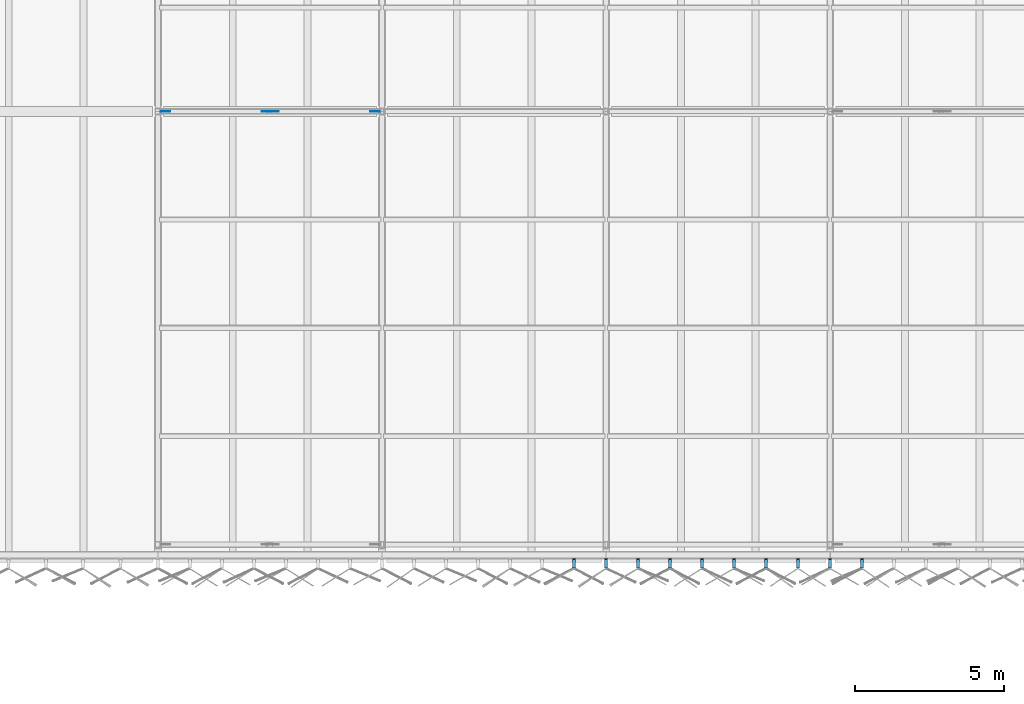
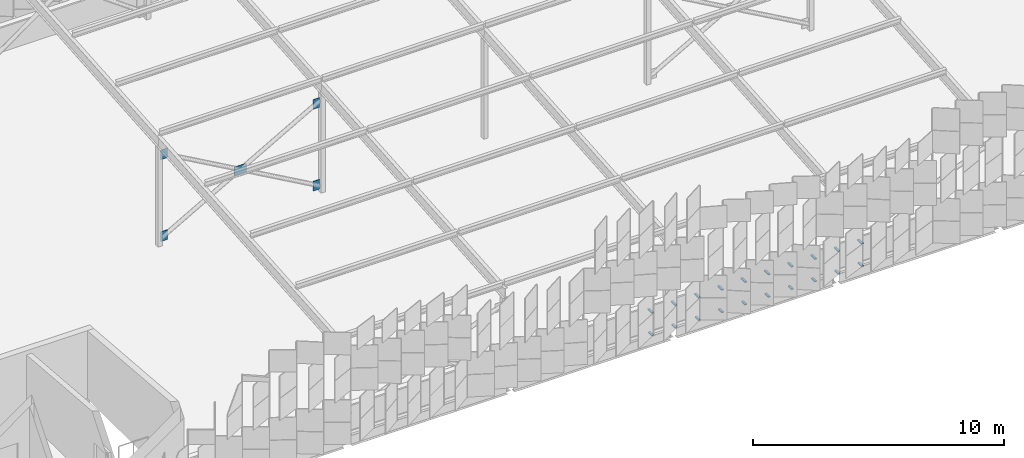
# One storey, part 438 of 483: 25 discrete accessories.
"""IFC4 building model written with IfcOpenShell, lengths in metres."""

from ifc_helpers import new_model, si_unit, direction, frame, origin, origin_2d, place, context, subcontext, project, spatial, polyline, rectangle, outline, extrude, material, layer, layer_set, type_object, element, save


model = new_model("IFC4")

# Units and contexts
model_context = context("Model", 3, precision=1e-05, world=origin(), true_north=direction((0.0, 1.0)))
body_context = subcontext(model_context, "Body", "Model", "MODEL_VIEW")
ifc_project = project(units=[si_unit("LENGTHUNIT", "METRE"), si_unit("AREAUNIT", "SQUARE_METRE"), si_unit("VOLUMEUNIT", "CUBIC_METRE"), si_unit("PLANEANGLEUNIT", "RADIAN"), si_unit("MASSUNIT", "GRAM", prefix="KILO")], contexts=[model_context])

# Site, building, storey
site_placement = place(None, origin())
site = spatial("IfcSite", under=ifc_project, at=site_placement, CompositionType="ELEMENT")
building_placement = place(site_placement, origin())
building = spatial("IfcBuilding", under=site, at=building_placement, Name="Parallax Yard Mobility Hub", CompositionType="ELEMENT")
storey_placement = place(building_placement, frame((0.0, 0.0, 13.199951171875)))
storey = spatial("IfcBuildingStorey", under=building, at=storey_placement, Name="L04", CompositionType="ELEMENT", Elevation=13.199951171875)

# Discrete accessories
ifc_material_1 = material(Name="Steel ASTM A36", Category="steel")
ifc_layer = layer(ifc_material_1, 0.011962890625)
ifc_layer_set = layer_set([ifc_layer], Name="Gusset plate PL12")
discrete_accessory_type_1 = type_object("IfcDiscreteAccessoryType", Name="Gusset plate PL12", PredefinedType="BRACKET", material=ifc_layer_set)
discrete_accessory_1_placement = place(storey_placement, frame((0.0, 0.0, 0.150146484375)))
element("IfcDiscreteAccessory", 1, at=discrete_accessory_1_placement, inside=storey, type_object=discrete_accessory_type_1, Name="Gusset plate PL12 RB bay N-B bay 1 foot on post N-B1", PredefinedType="BRACKET", context=body_context, shape_type="SweptSolid", body=[
    extrude(outline(polyline([(90.08154296875, 127.493896484375), (90.401611328125, 127.493896484375), (90.401611328125, 127.506103515625), (90.08154296875, 127.506103515625), (90.08154296875, 127.493896484375)])), origin(), (0.0, 0.0, 1.0), 0.4697265625),
])
discrete_accessory_2_placement = place(storey_placement, frame((0.0, 0.0, 4.130126953125)))
element("IfcDiscreteAccessory", 2, at=discrete_accessory_2_placement, inside=storey, type_object=discrete_accessory_type_1, Name="Gusset plate PL12 RB bay N-B bay 1 head on post N-B2", PredefinedType="BRACKET", context=body_context, shape_type="SweptSolid", body=[
    extrude(outline(polyline([(97.41845703125, 127.506103515625), (97.098388671875, 127.506103515625), (97.098388671875, 127.493896484375), (97.41845703125, 127.493896484375), (97.41845703125, 127.506103515625)])), origin(), (0.0, 0.0, 1.0), 0.469970703125),
])
discrete_accessory_3_placement = place(storey_placement, frame((0.0, 0.0, 0.150146484375)))
element("IfcDiscreteAccessory", 3, at=discrete_accessory_3_placement, inside=storey, type_object=discrete_accessory_type_1, Name="Gusset plate PL12 RB bay N-B bay 1 foot on post N-B2", PredefinedType="BRACKET", context=body_context, shape_type="SweptSolid", body=[
    extrude(outline(polyline([(97.41845703125, 127.506103515625), (97.098388671875, 127.506103515625), (97.098388671875, 127.493896484375), (97.41845703125, 127.493896484375), (97.41845703125, 127.506103515625)])), origin(), (0.0, 0.0, 1.0), 0.4697265625),
])
discrete_accessory_4_placement = place(storey_placement, frame((0.0, 0.0, 4.130126953125)))
element("IfcDiscreteAccessory", 4, at=discrete_accessory_4_placement, inside=storey, type_object=discrete_accessory_type_1, Name="Gusset plate PL12 RB bay N-B bay 1 head on post N-B1", PredefinedType="BRACKET", context=body_context, shape_type="SweptSolid", body=[
    extrude(outline(polyline([(90.08154296875, 127.493896484375), (90.401611328125, 127.493896484375), (90.401611328125, 127.506103515625), (90.08154296875, 127.506103515625), (90.08154296875, 127.493896484375)])), origin(), (0.0, 0.0, 1.0), 0.469970703125),
])
discrete_accessory_5_placement = place(storey_placement, frame((0.0, 0.0, 2.1650390625)))
element("IfcDiscreteAccessory", 5, at=discrete_accessory_5_placement, inside=storey, type_object=discrete_accessory_type_1, Name="Gusset plate PL12 RB bay N-B bay 1 crossing node", PredefinedType="BRACKET", context=body_context, shape_type="SweptSolid", body=[
    extrude(outline(polyline([(93.469970703125, 127.493896484375), (94.030029296875, 127.493896484375), (94.030029296875, 127.506103515625), (93.469970703125, 127.506103515625), (93.469970703125, 127.493896484375)])), origin(), (0.0, 0.0, 1.0), 0.419921875),
])
ifc_material_2 = material(Name="Steel ASTM A36, hot-dip galvanised", Category="steel")
discrete_accessory_type_2 = type_object("IfcDiscreteAccessoryType", Name="Hinge bracket plate 100x50", PredefinedType="BRACKET", material=ifc_material_2)
discrete_accessory_6_placement = place(storey_placement, frame((103.9189453125, 112.3583984375, -0.02490234375), z_axis=(0.0, 0.0, 1.0), x_axis=(0.0, -1.0, 0.0)))
element("IfcDiscreteAccessory", 6, at=discrete_accessory_6_placement, inside=storey, type_object=discrete_accessory_type_2, Name="Hinge bracket plate bay 9.7 level L04", PredefinedType="BRACKET", context=body_context, shape_type="SweptSolid", body=[
    extrude(rectangle(XDim=0.2841796875, YDim=0.10009765625, at=origin_2d()), origin(), (0.0, 0.0, 1.0), 0.050048828125),
])
discrete_accessory_7_placement = place(storey_placement, frame((103.9189453125, 112.38134765625, 1.06982421875), z_axis=(0.0, 0.0, 1.0), x_axis=(0.0, -1.0, 0.0)))
element("IfcDiscreteAccessory", 7, at=discrete_accessory_7_placement, inside=storey, type_object=discrete_accessory_type_2, Name="Hinge bracket plate bay 9.7 level L04", PredefinedType="BRACKET", context=body_context, shape_type="SweptSolid", body=[
    extrude(rectangle(XDim=0.330078125, YDim=0.10009765625, at=origin_2d()), origin(), (0.0, 0.0, 1.0), 0.050048828125),
])
discrete_accessory_8_placement = place(storey_placement, frame((104.990478515625, 112.3583984375, -0.02490234375), z_axis=(0.0, 0.0, 1.0), x_axis=(0.0, -1.0, 0.0)))
element("IfcDiscreteAccessory", 8, at=discrete_accessory_8_placement, inside=storey, type_object=discrete_accessory_type_2, Name="Hinge bracket plate bay 10.1 level L04", PredefinedType="BRACKET", context=body_context, shape_type="SweptSolid", body=[
    extrude(rectangle(XDim=0.2841796875, YDim=0.10009765625, at=origin_2d()), origin(), (0.0, 0.0, 1.0), 0.050048828125),
])
discrete_accessory_9_placement = place(storey_placement, frame((104.990478515625, 112.38134765625, 1.06982421875), z_axis=(0.0, 0.0, 1.0), x_axis=(0.0, -1.0, 0.0)))
element("IfcDiscreteAccessory", 9, at=discrete_accessory_9_placement, inside=storey, type_object=discrete_accessory_type_2, Name="Hinge bracket plate bay 10.1 level L04", PredefinedType="BRACKET", context=body_context, shape_type="SweptSolid", body=[
    extrude(rectangle(XDim=0.330078125, YDim=0.10009765625, at=origin_2d()), origin(), (0.0, 0.0, 1.0), 0.050048828125),
])
discrete_accessory_10_placement = place(storey_placement, frame((106.06201171875, 112.3583984375, -0.02490234375), z_axis=(0.0, 0.0, 1.0), x_axis=(0.0, -1.0, 0.0)))
element("IfcDiscreteAccessory", 10, at=discrete_accessory_10_placement, inside=storey, type_object=discrete_accessory_type_2, Name="Hinge bracket plate bay 10.2 level L04", PredefinedType="BRACKET", context=body_context, shape_type="SweptSolid", body=[
    extrude(rectangle(XDim=0.2841796875, YDim=0.10009765625, at=origin_2d()), origin(), (0.0, 0.0, 1.0), 0.050048828125),
])
discrete_accessory_11_placement = place(storey_placement, frame((106.06201171875, 112.38134765625, 1.06982421875), z_axis=(0.0, 0.0, 1.0), x_axis=(0.0, -1.0, 0.0)))
element("IfcDiscreteAccessory", 11, at=discrete_accessory_11_placement, inside=storey, type_object=discrete_accessory_type_2, Name="Hinge bracket plate bay 10.2 level L04", PredefinedType="BRACKET", context=body_context, shape_type="SweptSolid", body=[
    extrude(rectangle(XDim=0.330078125, YDim=0.10009765625, at=origin_2d()), origin(), (0.0, 0.0, 1.0), 0.050048828125),
])
discrete_accessory_12_placement = place(storey_placement, frame((107.13330078125, 112.3583984375, -0.02490234375), z_axis=(0.0, 0.0, 1.0), x_axis=(0.0, -1.0, 0.0)))
element("IfcDiscreteAccessory", 12, at=discrete_accessory_12_placement, inside=storey, type_object=discrete_accessory_type_2, Name="Hinge bracket plate bay 10.3 level L04", PredefinedType="BRACKET", context=body_context, shape_type="SweptSolid", body=[
    extrude(rectangle(XDim=0.2841796875, YDim=0.10009765625, at=origin_2d()), origin(), (0.0, 0.0, 1.0), 0.050048828125),
])
discrete_accessory_13_placement = place(storey_placement, frame((107.13330078125, 112.38134765625, 1.06982421875), z_axis=(0.0, 0.0, 1.0), x_axis=(0.0, -1.0, 0.0)))
element("IfcDiscreteAccessory", 13, at=discrete_accessory_13_placement, inside=storey, type_object=discrete_accessory_type_2, Name="Hinge bracket plate bay 10.3 level L04", PredefinedType="BRACKET", context=body_context, shape_type="SweptSolid", body=[
    extrude(rectangle(XDim=0.330078125, YDim=0.10009765625, at=origin_2d()), origin(), (0.0, 0.0, 1.0), 0.050048828125),
])
discrete_accessory_14_placement = place(storey_placement, frame((108.204833984375, 112.3583984375, -0.02490234375), z_axis=(0.0, 0.0, 1.0), x_axis=(0.0, -1.0, 0.0)))
element("IfcDiscreteAccessory", 14, at=discrete_accessory_14_placement, inside=storey, type_object=discrete_accessory_type_2, Name="Hinge bracket plate bay 10.4 level L04", PredefinedType="BRACKET", context=body_context, shape_type="SweptSolid", body=[
    extrude(rectangle(XDim=0.2841796875, YDim=0.10009765625, at=origin_2d()), origin(), (0.0, 0.0, 1.0), 0.050048828125),
])
discrete_accessory_15_placement = place(storey_placement, frame((108.204833984375, 112.38134765625, 1.06982421875), z_axis=(0.0, 0.0, 1.0), x_axis=(0.0, -1.0, 0.0)))
element("IfcDiscreteAccessory", 15, at=discrete_accessory_15_placement, inside=storey, type_object=discrete_accessory_type_2, Name="Hinge bracket plate bay 10.4 level L04", PredefinedType="BRACKET", context=body_context, shape_type="SweptSolid", body=[
    extrude(rectangle(XDim=0.330078125, YDim=0.10009765625, at=origin_2d()), origin(), (0.0, 0.0, 1.0), 0.050048828125),
])
discrete_accessory_16_placement = place(storey_placement, frame((109.2763671875, 112.3583984375, -0.02490234375), z_axis=(0.0, 0.0, 1.0), x_axis=(0.0, -1.0, 0.0)))
element("IfcDiscreteAccessory", 16, at=discrete_accessory_16_placement, inside=storey, type_object=discrete_accessory_type_2, Name="Hinge bracket plate bay 10.5 level L04", PredefinedType="BRACKET", context=body_context, shape_type="SweptSolid", body=[
    extrude(rectangle(XDim=0.2841796875, YDim=0.10009765625, at=origin_2d()), origin(), (0.0, 0.0, 1.0), 0.050048828125),
])
discrete_accessory_17_placement = place(storey_placement, frame((109.2763671875, 112.38134765625, 1.06982421875), z_axis=(0.0, 0.0, 1.0), x_axis=(0.0, -1.0, 0.0)))
element("IfcDiscreteAccessory", 17, at=discrete_accessory_17_placement, inside=storey, type_object=discrete_accessory_type_2, Name="Hinge bracket plate bay 10.5 level L04", PredefinedType="BRACKET", context=body_context, shape_type="SweptSolid", body=[
    extrude(rectangle(XDim=0.330078125, YDim=0.10009765625, at=origin_2d()), origin(), (0.0, 0.0, 1.0), 0.050048828125),
])
discrete_accessory_18_placement = place(storey_placement, frame((110.347900390625, 112.3583984375, -0.02490234375), z_axis=(0.0, 0.0, 1.0), x_axis=(0.0, -1.0, 0.0)))
element("IfcDiscreteAccessory", 18, at=discrete_accessory_18_placement, inside=storey, type_object=discrete_accessory_type_2, Name="Hinge bracket plate bay 10.6 level L04", PredefinedType="BRACKET", context=body_context, shape_type="SweptSolid", body=[
    extrude(rectangle(XDim=0.2841796875, YDim=0.10009765625, at=origin_2d()), origin(), (0.0, 0.0, 1.0), 0.050048828125),
])
discrete_accessory_19_placement = place(storey_placement, frame((110.347900390625, 112.38134765625, 1.06982421875), z_axis=(0.0, 0.0, 1.0), x_axis=(0.0, -1.0, 0.0)))
element("IfcDiscreteAccessory", 19, at=discrete_accessory_19_placement, inside=storey, type_object=discrete_accessory_type_2, Name="Hinge bracket plate bay 10.6 level L04", PredefinedType="BRACKET", context=body_context, shape_type="SweptSolid", body=[
    extrude(rectangle(XDim=0.330078125, YDim=0.10009765625, at=origin_2d()), origin(), (0.0, 0.0, 1.0), 0.050048828125),
])
discrete_accessory_20_placement = place(storey_placement, frame((111.41943359375, 112.3583984375, -0.02490234375), z_axis=(0.0, 0.0, 1.0), x_axis=(0.0, -1.0, 0.0)))
element("IfcDiscreteAccessory", 20, at=discrete_accessory_20_placement, inside=storey, type_object=discrete_accessory_type_2, Name="Hinge bracket plate bay 10.7 level L04", PredefinedType="BRACKET", context=body_context, shape_type="SweptSolid", body=[
    extrude(rectangle(XDim=0.2841796875, YDim=0.10009765625, at=origin_2d()), origin(), (0.0, 0.0, 1.0), 0.050048828125),
])
discrete_accessory_21_placement = place(storey_placement, frame((111.41943359375, 112.38134765625, 1.06982421875), z_axis=(0.0, 0.0, 1.0), x_axis=(0.0, -1.0, 0.0)))
element("IfcDiscreteAccessory", 21, at=discrete_accessory_21_placement, inside=storey, type_object=discrete_accessory_type_2, Name="Hinge bracket plate bay 10.7 level L04", PredefinedType="BRACKET", context=body_context, shape_type="SweptSolid", body=[
    extrude(rectangle(XDim=0.330078125, YDim=0.10009765625, at=origin_2d()), origin(), (0.0, 0.0, 1.0), 0.050048828125),
])
discrete_accessory_22_placement = place(storey_placement, frame((112.490966796875, 112.3583984375, -0.02490234375), z_axis=(0.0, 0.0, 1.0), x_axis=(0.0, -1.0, 0.0)))
element("IfcDiscreteAccessory", 22, at=discrete_accessory_22_placement, inside=storey, type_object=discrete_accessory_type_2, Name="Hinge bracket plate bay 11.1 level L04", PredefinedType="BRACKET", context=body_context, shape_type="SweptSolid", body=[
    extrude(rectangle(XDim=0.2841796875, YDim=0.10009765625, at=origin_2d()), origin(), (0.0, 0.0, 1.0), 0.050048828125),
])
discrete_accessory_23_placement = place(storey_placement, frame((112.490966796875, 112.38134765625, 1.06982421875), z_axis=(0.0, 0.0, 1.0), x_axis=(0.0, -1.0, 0.0)))
element("IfcDiscreteAccessory", 23, at=discrete_accessory_23_placement, inside=storey, type_object=discrete_accessory_type_2, Name="Hinge bracket plate bay 11.1 level L04", PredefinedType="BRACKET", context=body_context, shape_type="SweptSolid", body=[
    extrude(rectangle(XDim=0.330078125, YDim=0.10009765625, at=origin_2d()), origin(), (0.0, 0.0, 1.0), 0.050048828125),
])
discrete_accessory_24_placement = place(storey_placement, frame((113.5625, 112.3583984375, -0.02490234375), z_axis=(0.0, 0.0, 1.0), x_axis=(0.0, -1.0, 0.0)))
element("IfcDiscreteAccessory", 24, at=discrete_accessory_24_placement, inside=storey, type_object=discrete_accessory_type_2, Name="Hinge bracket plate bay 11.2 level L04", PredefinedType="BRACKET", context=body_context, shape_type="SweptSolid", body=[
    extrude(rectangle(XDim=0.2841796875, YDim=0.10009765625, at=origin_2d()), origin(), (0.0, 0.0, 1.0), 0.050048828125),
])
discrete_accessory_25_placement = place(storey_placement, frame((113.5625, 112.38134765625, 1.06982421875), z_axis=(0.0, 0.0, 1.0), x_axis=(0.0, -1.0, 0.0)))
element("IfcDiscreteAccessory", 25, at=discrete_accessory_25_placement, inside=storey, type_object=discrete_accessory_type_2, Name="Hinge bracket plate bay 11.2 level L04", PredefinedType="BRACKET", context=body_context, shape_type="SweptSolid", body=[
    extrude(rectangle(XDim=0.330078125, YDim=0.10009765625, at=origin_2d()), origin(), (0.0, 0.0, 1.0), 0.050048828125),
])

save(model, "model.ifc")
